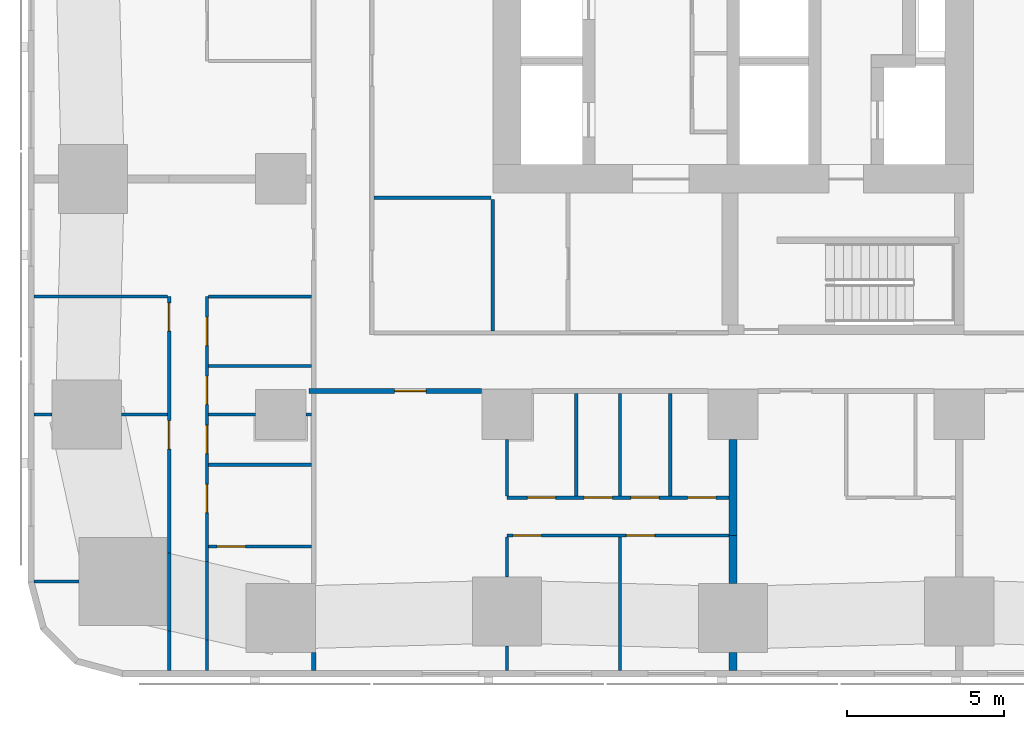
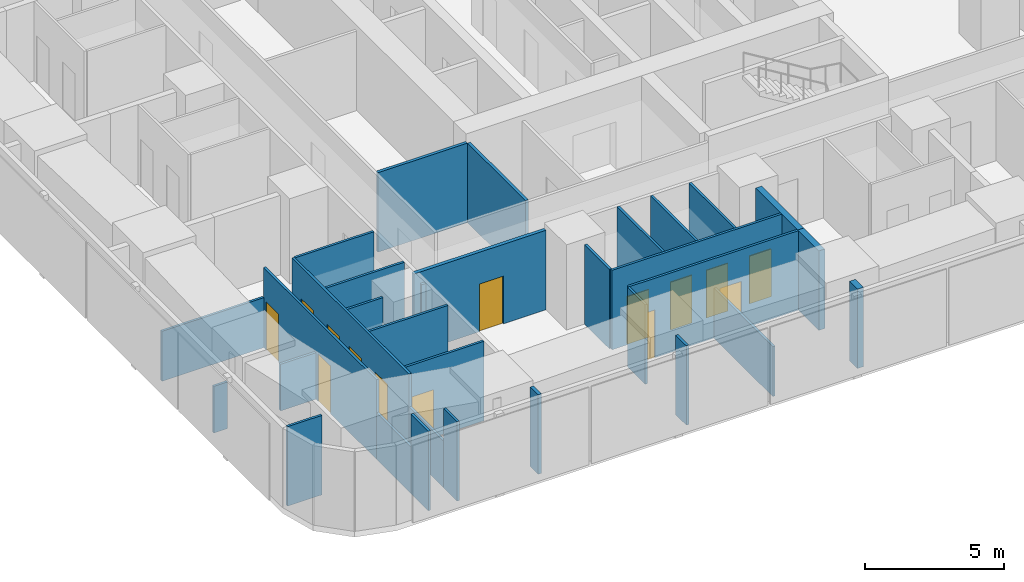
# One storey, part 2 of 14: 32 walls, 14 doors, 14 openings.
"""IFC4 building model written with IfcOpenShell, lengths in metres."""

from ifc_helpers import new_model, si_unit, direction, frame, frame_2d, origin, place, context, subcontext, project, spatial, rectangle, extrude, material, layer, layer_set, type_object, element, fill, save


model = new_model("IFC4")

# Units and contexts
model_context = context("Model", 3, precision=1e-05, world=origin(), true_north=direction((0.0, 1.0)))
body_context = subcontext(model_context, "Body", "Model", "MODEL_VIEW")
ifc_project = project(units=[si_unit("LENGTHUNIT", "METRE"), si_unit("AREAUNIT", "SQUARE_METRE"), si_unit("VOLUMEUNIT", "CUBIC_METRE"), si_unit("PLANEANGLEUNIT", "RADIAN"), si_unit("MASSUNIT", "GRAM", prefix="KILO")], contexts=[model_context])

# Site, building, storey
site_placement = place(None, origin())
site = spatial("IfcSite", under=ifc_project, at=site_placement, CompositionType="ELEMENT")
building_placement = place(site_placement, origin())
building = spatial("IfcBuilding", under=site, at=building_placement, Name="Sheger Commons Tower", CompositionType="ELEMENT")
storey_placement = place(building_placement, frame((0.0, 0.0, 122.89990234375)))
storey = spatial("IfcBuildingStorey", under=building, at=storey_placement, Name="L31", CompositionType="ELEMENT", Elevation=122.89990234375)

# Wall
ifc_material_1 = material(Name="Hollow concrete block masonry, skimmed both sides", Category="masonry")
ifc_layer_1 = layer(ifc_material_1, 0.14990234375)
ifc_layer_set_1 = layer_set([ifc_layer_1], Name="CORRIDOR WALL 150")
wall_type_1 = type_object("IfcWallType", Name="CORRIDOR WALL 150", PredefinedType="SOLIDWALL", material=ifc_layer_set_1)
wall_1_placement = place(storey_placement, frame((8.25, -0.64990234375, 0.0), z_axis=(0.0, 0.0, 1.0), x_axis=(0.0, 1.0, 0.0)))
element("IfcWall", 1, at=wall_1_placement, inside=storey, type_object=wall_type_1, Name="Corridor wall L31", PredefinedType="SOLIDWALL", context=body_context, shape_type="SweptSolid", body=[
    extrude(rectangle(XDim=0.573974609375, YDim=0.14990234375, at=frame_2d((0.287109375, 0.0))), origin(), (0.0, 0.0, 1.0), 3.5),
])

# Wall, opening, door
wall_2_placement = place(storey_placement, frame((13.59912109375, 8.25, 0.0), z_axis=(0.0, 0.0, 1.0), x_axis=(-1.0, 0.0, 0.0)))
wall_2 = element("IfcWall", 2, at=wall_2_placement, inside=storey, type_object=wall_type_1, Name="Corridor wall L31", PredefinedType="SOLIDWALL", context=body_context, shape_type="SweptSolid", body=[
    extrude(rectangle(XDim=5.4990234375, YDim=0.14990234375, at=frame_2d((2.74951171875, 0.0))), origin(), (0.0, 0.0, 1.0), 3.5),
])
opening_1_placement = place(wall_2_placement, frame((1.77392578125, 0.0, 0.0)))
opening_1 = element("IfcOpeningElement", 3, at=opening_1_placement, cuts=wall_2, Name="Opening D1", PredefinedType="OPENING", context=body_context, shape_type="SweptSolid", body=[
    extrude(rectangle(XDim=1.0, YDim=2.10009765625, at=frame_2d((0.5, 1.050048828125))), frame((0.0, 0.0849609375, 0.0), z_axis=(0.0, -1.0, 0.0), x_axis=(1.0, 0.0, 0.0)), (0.0, 0.0, 1.0), 0.169921875),
])
ifc_material_2 = material(Name="Steel door set, fire rated", Category="steel")
door_type_1 = type_object("IfcDoorType", Name="FLAT ENTRANCE DOOR 1000x2100", OperationType="NOTDEFINED", PredefinedType="DOOR", material=ifc_material_2)
door_1_placement = place(opening_1_placement, origin())
door_1 = element("IfcDoor", 4, at=door_1_placement, inside=storey, type_object=door_type_1, Name="Flat entrance door", OperationType="SINGLE_SWING_RIGHT", OverallHeight=2.10009765625, OverallWidth=1.0, PredefinedType="DOOR", context=body_context, shape_type="SweptSolid", body=[
    extrude(rectangle(XDim=1.0, YDim=2.10009765625, at=frame_2d((0.5, 1.050048828125))), frame((0.0, 0.02490234375, 0.0), z_axis=(0.0, -1.0, 0.0), x_axis=(1.0, 0.0, 0.0)), (0.0, 0.0, 1.0), 0.050048828125),
])
fill(opening_1, door_1)

# Walls
ifc_material_3 = material(Name="Dense concrete block masonry, plastered both sides (separating wall between flats)", Category="masonry")
ifc_layer_2 = layer(ifc_material_3, 0.25)
ifc_layer_set_2 = layer_set([ifc_layer_2], Name="DEMISING WALL 250")
wall_type_2 = type_object("IfcWallType", Name="DEMISING WALL 250", PredefinedType="SOLIDWALL", material=ifc_layer_set_2)
wall_3_placement = place(storey_placement, frame((21.60009765625, -0.64990234375, 0.0), z_axis=(0.0, 0.0, 1.0), x_axis=(0.0, 1.0, 0.0)))
element("IfcWall", 5, at=wall_3_placement, inside=storey, type_object=wall_type_2, Name="Demising wall L31", PredefinedType="SOLIDWALL", context=body_context, shape_type="SweptSolid", body=[
    extrude(rectangle(XDim=0.573974609375, YDim=0.25, at=frame_2d((0.287109375, 0.0))), origin(), (0.0, 0.0, 1.0), 3.5),
])
wall_4_placement = place(storey_placement, frame((21.60009765625, 2.1259765625, 0.0), z_axis=(0.0, 0.0, 1.0), x_axis=(0.0, 1.0, 0.0)))
element("IfcWall", 6, at=wall_4_placement, inside=storey, type_object=wall_type_2, Name="Demising wall L31", PredefinedType="SOLIDWALL", context=body_context, shape_type="SweptSolid", body=[
    extrude(rectangle(XDim=1.52392578125, YDim=0.25, at=frame_2d((0.761962890625, 0.0))), origin(), (0.0, 0.0, 1.0), 3.5),
])
wall_5_placement = place(storey_placement, frame((21.60009765625, 3.64990234375, 0.0), z_axis=(0.0, 0.0, 1.0), x_axis=(0.0, 1.0, 0.0)))
element("IfcWall", 7, at=wall_5_placement, inside=storey, type_object=wall_type_2, Name="Demising wall L31", PredefinedType="SOLIDWALL", context=body_context, shape_type="SweptSolid", body=[
    extrude(rectangle(XDim=3.049072265625, YDim=0.25, at=frame_2d((1.5244140625, 0.0))), origin(), (0.0, 0.0, 1.0), 3.5),
])
ifc_material_4 = material(Name="Gypsum board on steel studs", Category="steel")
ifc_layer_3 = layer(ifc_material_4, 0.10009765625)
ifc_layer_set_3 = layer_set([ifc_layer_3], Name="PARTITION 100")
wall_type_3 = type_object("IfcWallType", Name="PARTITION 100", PredefinedType="PARTITIONING", material=ifc_layer_set_3)
wall_6_placement = place(storey_placement, frame((3.64990234375, -0.64990234375, 0.0), z_axis=(0.0, 0.0, 1.0), x_axis=(0.0, 1.0, 0.0)))
element("IfcWall", 8, at=wall_6_placement, inside=storey, type_object=wall_type_3, Name="Partition L31", PredefinedType="PARTITIONING", context=body_context, shape_type="SweptSolid", body=[
    extrude(rectangle(XDim=1.25390625, YDim=0.10009765625, at=frame_2d((0.626953125, 0.0))), origin(), (0.0, 0.0, 1.0), 3.5),
])
wall_7_placement = place(storey_placement, frame((3.64990234375, 0.60400390625, 0.0), z_axis=(0.0, 0.0, 1.0), x_axis=(0.0, 1.0, 0.0)))
element("IfcWall", 9, at=wall_7_placement, inside=storey, type_object=wall_type_3, Name="Partition L31", PredefinedType="PARTITIONING", context=body_context, shape_type="SweptSolid", body=[
    extrude(rectangle(XDim=2.486083984375, YDim=0.10009765625, at=frame_2d((1.2431640625, 0.0))), origin(), (0.0, 0.0, 1.0), 2.050048828125),
])

# Wall, openings, doors
wall_8_placement = place(storey_placement, frame((3.64990234375, 3.090087890625, 0.0), z_axis=(0.0, 0.0, 1.0), x_axis=(0.0, 1.0, 0.0)))
wall_8 = element("IfcWall", 10, at=wall_8_placement, inside=storey, type_object=wall_type_3, Name="Partition L31", PredefinedType="PARTITIONING", context=body_context, shape_type="SweptSolid", body=[
    extrude(rectangle(XDim=8.159912109375, YDim=0.10009765625, at=frame_2d((4.080078125, 0.0))), origin(), (0.0, 0.0, 1.0), 3.5),
])
opening_2_placement = place(wall_8_placement, frame((7.06005859375, 0.0, 0.0)))
opening_2 = element("IfcOpeningElement", 11, at=opening_2_placement, cuts=wall_8, Name="Opening D2", PredefinedType="OPENING", context=body_context, shape_type="SweptSolid", body=[
    extrude(rectangle(XDim=0.89990234375, YDim=2.10009765625, at=frame_2d((0.449951171875, 1.050048828125))), frame((0.0, 0.06005859375, 0.0), z_axis=(0.0, -1.0, 0.0), x_axis=(1.0, 0.0, 0.0)), (0.0, 0.0, 1.0), 0.1201171875),
])
opening_3_placement = place(wall_8_placement, frame((3.31005859375, 0.0, 0.0)))
opening_3 = element("IfcOpeningElement", 12, at=opening_3_placement, cuts=wall_8, Name="Opening D2", PredefinedType="OPENING", context=body_context, shape_type="SweptSolid", body=[
    extrude(rectangle(XDim=0.89990234375, YDim=2.10009765625, at=frame_2d((0.449951171875, 1.050048828125))), frame((0.0, 0.06005859375, 0.0), z_axis=(0.0, -1.0, 0.0), x_axis=(1.0, 0.0, 0.0)), (0.0, 0.0, 1.0), 0.1201171875),
])
ifc_material_5 = material(Name="Timber door set", Category="wood")
door_type_2 = type_object("IfcDoorType", Name="INTERNAL DOOR 900x2100", OperationType="NOTDEFINED", PredefinedType="DOOR", material=ifc_material_5)
door_2_placement = place(opening_2_placement, origin())
door_2 = element("IfcDoor", 13, at=door_2_placement, inside=storey, type_object=door_type_2, Name="Main bedroom door", OperationType="SINGLE_SWING_RIGHT", OverallHeight=2.10009765625, OverallWidth=0.89990234375, PredefinedType="DOOR", context=body_context, shape_type="SweptSolid", body=[
    extrude(rectangle(XDim=0.89990234375, YDim=2.10009765625, at=frame_2d((0.449951171875, 1.050048828125))), frame((0.0, 0.02490234375, 0.0), z_axis=(0.0, -1.0, 0.0), x_axis=(1.0, 0.0, 0.0)), (0.0, 0.0, 1.0), 0.050048828125),
])
fill(opening_2, door_2)
door_3_placement = place(opening_3_placement, origin())
door_3 = element("IfcDoor", 14, at=door_3_placement, inside=storey, type_object=door_type_2, Name="Bedroom 2 door", OperationType="SINGLE_SWING_RIGHT", OverallHeight=2.10009765625, OverallWidth=0.89990234375, PredefinedType="DOOR", context=body_context, shape_type="SweptSolid", body=[
    extrude(rectangle(XDim=0.89990234375, YDim=2.10009765625, at=frame_2d((0.449951171875, 1.050048828125))), frame((0.0, 0.02490234375, 0.0), z_axis=(0.0, -1.0, 0.0), x_axis=(1.0, 0.0, 0.0)), (0.0, 0.0, 1.0), 0.050048828125),
])
fill(opening_3, door_3)

# Walls
wall_9_placement = place(storey_placement, frame((4.85009765625, -0.64990234375, 0.0), z_axis=(0.0, 0.0, 1.0), x_axis=(0.0, 1.0, 0.0)))
element("IfcWall", 15, at=wall_9_placement, inside=storey, type_object=wall_type_3, Name="Partition L31", PredefinedType="PARTITIONING", context=body_context, shape_type="SweptSolid", body=[
    extrude(rectangle(XDim=0.975830078125, YDim=0.10009765625, at=frame_2d((0.48779296875, 0.0))), origin(), (0.0, 0.0, 1.0), 3.5),
])
wall_10_placement = place(storey_placement, frame((4.85009765625, 0.325927734375, 0.0), z_axis=(0.0, 0.0, 1.0), x_axis=(0.0, 1.0, 0.0)))
element("IfcWall", 16, at=wall_10_placement, inside=storey, type_object=wall_type_3, Name="Partition L31", PredefinedType="PARTITIONING", context=body_context, shape_type="SweptSolid", body=[
    extrude(rectangle(XDim=2.486083984375, YDim=0.10009765625, at=frame_2d((1.2431640625, 0.0))), origin(), (0.0, 0.0, 1.0), 2.050048828125),
])

# Wall, openings, doors
wall_11_placement = place(storey_placement, frame((4.85009765625, 2.81201171875, 0.0), z_axis=(0.0, 0.0, 1.0), x_axis=(0.0, 1.0, 0.0)))
wall_11 = element("IfcWall", 17, at=wall_11_placement, inside=storey, type_object=wall_type_3, Name="Partition L31", PredefinedType="PARTITIONING", context=body_context, shape_type="SweptSolid", body=[
    extrude(rectangle(XDim=8.43798828125, YDim=0.10009765625, at=frame_2d((4.218994140625, 0.0))), origin(), (0.0, 0.0, 1.0), 3.5),
])
opening_4_placement = place(wall_11_placement, frame((6.883056640625, 0.0, 0.0)))
opening_4 = element("IfcOpeningElement", 18, at=opening_4_placement, cuts=wall_11, Name="Opening D2", PredefinedType="OPENING", context=body_context, shape_type="SweptSolid", body=[
    extrude(rectangle(XDim=0.89990234375, YDim=2.10009765625, at=frame_2d((0.449951171875, 1.050048828125))), frame((0.0, 0.06005859375, 0.0), z_axis=(0.0, -1.0, 0.0), x_axis=(1.0, 0.0, 0.0)), (0.0, 0.0, 1.0), 0.1201171875),
])
opening_5_placement = place(wall_11_placement, frame((3.43798828125, 0.0, 0.0)))
opening_5 = element("IfcOpeningElement", 19, at=opening_5_placement, cuts=wall_11, Name="Opening D2", PredefinedType="OPENING", context=body_context, shape_type="SweptSolid", body=[
    extrude(rectangle(XDim=0.89990234375, YDim=2.10009765625, at=frame_2d((0.449951171875, 1.050048828125))), frame((0.0, 0.06005859375, 0.0), z_axis=(0.0, -1.0, 0.0), x_axis=(1.0, 0.0, 0.0)), (0.0, 0.0, 1.0), 0.1201171875),
])
opening_6_placement = place(wall_11_placement, frame((5.008056640625, 0.0, 0.0)))
opening_6 = element("IfcOpeningElement", 20, at=opening_6_placement, cuts=wall_11, Name="Opening D2", PredefinedType="OPENING", context=body_context, shape_type="SweptSolid", body=[
    extrude(rectangle(XDim=0.89990234375, YDim=2.10009765625, at=frame_2d((0.449951171875, 1.050048828125))), frame((0.0, 0.06005859375, 0.0), z_axis=(0.0, -1.0, 0.0), x_axis=(1.0, 0.0, 0.0)), (0.0, 0.0, 1.0), 0.1201171875),
])
opening_7_placement = place(wall_11_placement, frame((1.56298828125, 0.0, 0.0)))
opening_7 = element("IfcOpeningElement", 21, at=opening_7_placement, cuts=wall_11, Name="Opening D2", PredefinedType="OPENING", context=body_context, shape_type="SweptSolid", body=[
    extrude(rectangle(XDim=0.89990234375, YDim=2.10009765625, at=frame_2d((0.449951171875, 1.050048828125))), frame((0.0, 0.06005859375, 0.0), z_axis=(0.0, -1.0, 0.0), x_axis=(1.0, 0.0, 0.0)), (0.0, 0.0, 1.0), 0.1201171875),
])
door_4_placement = place(opening_4_placement, origin())
door_4 = element("IfcDoor", 22, at=door_4_placement, inside=storey, type_object=door_type_2, Name="Bathroom door", OperationType="SINGLE_SWING_LEFT", OverallHeight=2.10009765625, OverallWidth=0.89990234375, PredefinedType="DOOR", context=body_context, shape_type="SweptSolid", body=[
    extrude(rectangle(XDim=0.89990234375, YDim=2.10009765625, at=frame_2d((0.449951171875, 1.050048828125))), frame((0.0, 0.02490234375, 0.0), z_axis=(0.0, -1.0, 0.0), x_axis=(1.0, 0.0, 0.0)), (0.0, 0.0, 1.0), 0.050048828125),
])
fill(opening_4, door_4)
door_5_placement = place(opening_5_placement, origin())
door_5 = element("IfcDoor", 23, at=door_5_placement, inside=storey, type_object=door_type_2, Name="Shower room door", OperationType="SINGLE_SWING_RIGHT", OverallHeight=2.10009765625, OverallWidth=0.89990234375, PredefinedType="DOOR", context=body_context, shape_type="SweptSolid", body=[
    extrude(rectangle(XDim=0.89990234375, YDim=2.10009765625, at=frame_2d((0.449951171875, 1.050048828125))), frame((0.0, 0.02490234375, 0.0), z_axis=(0.0, -1.0, 0.0), x_axis=(1.0, 0.0, 0.0)), (0.0, 0.0, 1.0), 0.050048828125),
])
fill(opening_5, door_5)
door_6_placement = place(opening_6_placement, origin())
door_6 = element("IfcDoor", 24, at=door_6_placement, inside=storey, type_object=door_type_2, Name="Store door", OperationType="SINGLE_SWING_LEFT", OverallHeight=2.10009765625, OverallWidth=0.89990234375, PredefinedType="DOOR", context=body_context, shape_type="SweptSolid", body=[
    extrude(rectangle(XDim=0.89990234375, YDim=2.10009765625, at=frame_2d((0.449951171875, 1.050048828125))), frame((0.0, 0.02490234375, 0.0), z_axis=(0.0, -1.0, 0.0), x_axis=(1.0, 0.0, 0.0)), (0.0, 0.0, 1.0), 0.050048828125),
])
fill(opening_6, door_6)
door_7_placement = place(opening_7_placement, origin())
door_7 = element("IfcDoor", 25, at=door_7_placement, inside=storey, type_object=door_type_2, Name="Store door", OperationType="SINGLE_SWING_LEFT", OverallHeight=2.10009765625, OverallWidth=0.89990234375, PredefinedType="DOOR", context=body_context, shape_type="SweptSolid", body=[
    extrude(rectangle(XDim=0.89990234375, YDim=2.10009765625, at=frame_2d((0.449951171875, 1.050048828125))), frame((0.0, 0.02490234375, 0.0), z_axis=(0.0, -1.0, 0.0), x_axis=(1.0, 0.0, 0.0)), (0.0, 0.0, 1.0), 0.050048828125),
])
fill(opening_7, door_7)

# Walls
wall_12_placement = place(storey_placement, frame((-0.64990234375, 2.18603515625, 0.0), z_axis=(0.0, 0.0, 1.0), x_axis=(1.0, 0.0, 0.0)))
element("IfcWall", 26, at=wall_12_placement, inside=storey, type_object=wall_type_3, Name="Partition L31", PredefinedType="PARTITIONING", context=body_context, shape_type="SweptSolid", body=[
    extrude(rectangle(XDim=1.434814453125, YDim=0.10009765625, at=frame_2d((0.71728515625, 0.0))), origin(), (0.0, 0.0, 1.0), 3.5),
])
wall_13_placement = place(storey_placement, frame((-0.64990234375, 7.5, 0.0), z_axis=(0.0, 0.0, 1.0), x_axis=(1.0, 0.0, 0.0)))
element("IfcWall", 27, at=wall_13_placement, inside=storey, type_object=wall_type_3, Name="Partition L31", PredefinedType="PARTITIONING", context=body_context, shape_type="SweptSolid", body=[
    extrude(rectangle(XDim=0.573974609375, YDim=0.10009765625, at=frame_2d((0.287109375, 0.0))), origin(), (0.0, 0.0, 1.0), 2.050048828125),
])
wall_14_placement = place(storey_placement, frame((2.1259765625, 7.5, 0.0), z_axis=(0.0, 0.0, 1.0), x_axis=(1.0, 0.0, 0.0)))
element("IfcWall", 28, at=wall_14_placement, inside=storey, type_object=wall_type_3, Name="Partition L31", PredefinedType="PARTITIONING", context=body_context, shape_type="SweptSolid", body=[
    extrude(rectangle(XDim=1.47412109375, YDim=0.10009765625, at=frame_2d((0.737060546875, 0.0))), origin(), (0.0, 0.0, 1.0), 2.050048828125),
])
wall_15_placement = place(storey_placement, frame((-0.64990234375, 11.25, 0.0), z_axis=(0.0, 0.0, 1.0), x_axis=(1.0, 0.0, 0.0)))
element("IfcWall", 29, at=wall_15_placement, inside=storey, type_object=wall_type_3, Name="Partition L31", PredefinedType="PARTITIONING", context=body_context, shape_type="SweptSolid", body=[
    extrude(rectangle(XDim=4.25, YDim=0.10009765625, at=frame_2d((2.125, 0.0))), origin(), (0.0, 0.0, 1.0), 2.2001953125),
])
wall_16_placement = place(storey_placement, frame((4.89990234375, 7.5, 0.0), z_axis=(0.0, 0.0, 1.0), x_axis=(1.0, 0.0, 0.0)))
element("IfcWall", 30, at=wall_16_placement, inside=storey, type_object=wall_type_3, Name="Partition L31", PredefinedType="PARTITIONING", context=body_context, shape_type="SweptSolid", body=[
    extrude(rectangle(XDim=1.4990234375, YDim=0.10009765625, at=frame_2d((0.74951171875, 0.0))), origin(), (0.0, 0.0, 1.0), 3.5),
])
wall_17_placement = place(storey_placement, frame((8.0009765625, 7.5, 0.0), z_axis=(0.0, 0.0, 1.0), x_axis=(1.0, 0.0, 0.0)))
element("IfcWall", 31, at=wall_17_placement, inside=storey, type_object=wall_type_3, Name="Partition L31", PredefinedType="PARTITIONING", context=body_context, shape_type="SweptSolid", body=[
    extrude(rectangle(XDim=0.174072265625, YDim=0.10009765625, at=frame_2d((0.0869140625, 0.0))), origin(), (0.0, 0.0, 1.0), 3.5),
])
for number, where, z_axis, x_axis, name in (
    (32, (4.89990234375, 11.25, 0.0), (0.0, 0.0, 1.0), (1.0, 0.0, 0.0), "Partition L31"),
    (33, (4.89990234375, 9.0400390625, 0.0), (0.0, 0.0, 1.0), (1.0, 0.0, 0.0), "Partition L31"),
    (34, (4.89990234375, 5.89990234375, 0.0), (0.0, 0.0, 1.0), (1.0, 0.0, 0.0), "Partition L31"),
):
    element("IfcWall", number, at=place(storey_placement, frame(where, z_axis=z_axis, x_axis=x_axis)), inside=storey, type_object=wall_type_3, Name=name, PredefinedType="PARTITIONING", context=body_context, shape_type="SweptSolid", body=[
        extrude(rectangle(XDim=3.275146484375, YDim=0.10009765625, at=frame_2d((1.6376953125, 0.0))), origin(), (0.0, 0.0, 1.0), 3.5),
    ])

# Wall, openings, doors
wall_18_placement = place(storey_placement, frame((21.47509765625, 3.64990234375, 0.0), z_axis=(0.0, 0.0, 1.0), x_axis=(-1.0, 0.0, 0.0)))
wall_18 = element("IfcWall", 35, at=wall_18_placement, inside=storey, type_object=wall_type_3, Name="Partition L31", PredefinedType="PARTITIONING", context=body_context, shape_type="SweptSolid", body=[
    extrude(rectangle(XDim=7.0751953125, YDim=0.10009765625, at=frame_2d((3.53759765625, 0.0))), origin(), (0.0, 0.0, 1.0), 3.5),
])
opening_8_placement = place(wall_18_placement, frame((5.97509765625, 0.0, 0.0)))
opening_8 = element("IfcOpeningElement", 36, at=opening_8_placement, cuts=wall_18, Name="Opening D2", PredefinedType="OPENING", context=body_context, shape_type="SweptSolid", body=[
    extrude(rectangle(XDim=0.89990234375, YDim=2.10009765625, at=frame_2d((0.449951171875, 1.050048828125))), frame((0.0, 0.06005859375, 0.0), z_axis=(0.0, -1.0, 0.0), x_axis=(1.0, 0.0, 0.0)), (0.0, 0.0, 1.0), 0.1201171875),
])
opening_9_placement = place(wall_18_placement, frame((2.375, 0.0, 0.0)))
opening_9 = element("IfcOpeningElement", 37, at=opening_9_placement, cuts=wall_18, Name="Opening D2", PredefinedType="OPENING", context=body_context, shape_type="SweptSolid", body=[
    extrude(rectangle(XDim=0.89990234375, YDim=2.10009765625, at=frame_2d((0.449951171875, 1.050048828125))), frame((0.0, 0.06005859375, 0.0), z_axis=(0.0, -1.0, 0.0), x_axis=(1.0, 0.0, 0.0)), (0.0, 0.0, 1.0), 0.1201171875),
])
door_8_placement = place(opening_8_placement, origin())
door_8 = element("IfcDoor", 38, at=door_8_placement, inside=storey, type_object=door_type_2, Name="Main bedroom door", OperationType="SINGLE_SWING_RIGHT", OverallHeight=2.10009765625, OverallWidth=0.89990234375, PredefinedType="DOOR", context=body_context, shape_type="SweptSolid", body=[
    extrude(rectangle(XDim=0.89990234375, YDim=2.10009765625, at=frame_2d((0.449951171875, 1.050048828125))), frame((0.0, 0.02490234375, 0.0), z_axis=(0.0, -1.0, 0.0), x_axis=(1.0, 0.0, 0.0)), (0.0, 0.0, 1.0), 0.050048828125),
])
fill(opening_8, door_8)
door_9_placement = place(opening_9_placement, origin())
door_9 = element("IfcDoor", 39, at=door_9_placement, inside=storey, type_object=door_type_2, Name="Bedroom 2 door", OperationType="SINGLE_SWING_RIGHT", OverallHeight=2.10009765625, OverallWidth=0.89990234375, PredefinedType="DOOR", context=body_context, shape_type="SweptSolid", body=[
    extrude(rectangle(XDim=0.89990234375, YDim=2.10009765625, at=frame_2d((0.449951171875, 1.050048828125))), frame((0.0, 0.02490234375, 0.0), z_axis=(0.0, -1.0, 0.0), x_axis=(1.0, 0.0, 0.0)), (0.0, 0.0, 1.0), 0.050048828125),
])
fill(opening_9, door_9)

wall_19_placement = place(storey_placement, frame((21.47509765625, 4.85009765625, 0.0), z_axis=(0.0, 0.0, 1.0), x_axis=(-1.0, 0.0, 0.0)))
wall_19 = element("IfcWall", 40, at=wall_19_placement, inside=storey, type_object=wall_type_3, Name="Partition L31", PredefinedType="PARTITIONING", context=body_context, shape_type="SweptSolid", body=[
    extrude(rectangle(XDim=7.0751953125, YDim=0.10009765625, at=frame_2d((3.53759765625, 0.0))), origin(), (0.0, 0.0, 1.0), 3.5),
])
opening_10_placement = place(wall_19_placement, frame((5.52001953125, 0.0, 0.0)))
opening_10 = element("IfcOpeningElement", 41, at=opening_10_placement, cuts=wall_19, Name="Opening D2", PredefinedType="OPENING", context=body_context, shape_type="SweptSolid", body=[
    extrude(rectangle(XDim=0.89990234375, YDim=2.10009765625, at=frame_2d((0.449951171875, 1.050048828125))), frame((0.0, 0.06005859375, 0.0), z_axis=(0.0, -1.0, 0.0), x_axis=(1.0, 0.0, 0.0)), (0.0, 0.0, 1.0), 0.1201171875),
])
opening_11_placement = place(wall_19_placement, frame((2.22509765625, 0.0, 0.0)))
opening_11 = element("IfcOpeningElement", 42, at=opening_11_placement, cuts=wall_19, Name="Opening D2", PredefinedType="OPENING", context=body_context, shape_type="SweptSolid", body=[
    extrude(rectangle(XDim=0.89990234375, YDim=2.10009765625, at=frame_2d((0.449951171875, 1.050048828125))), frame((0.0, 0.06005859375, 0.0), z_axis=(0.0, -1.0, 0.0), x_axis=(1.0, 0.0, 0.0)), (0.0, 0.0, 1.0), 0.1201171875),
])
opening_12_placement = place(wall_19_placement, frame((3.719970703125, 0.0, 0.0)))
opening_12 = element("IfcOpeningElement", 43, at=opening_12_placement, cuts=wall_19, Name="Opening D2", PredefinedType="OPENING", context=body_context, shape_type="SweptSolid", body=[
    extrude(rectangle(XDim=0.89990234375, YDim=2.10009765625, at=frame_2d((0.449951171875, 1.050048828125))), frame((0.0, 0.06005859375, 0.0), z_axis=(0.0, -1.0, 0.0), x_axis=(1.0, 0.0, 0.0)), (0.0, 0.0, 1.0), 0.1201171875),
])
opening_13_placement = place(wall_19_placement, frame((0.425048828125, 0.0, 0.0)))
opening_13 = element("IfcOpeningElement", 44, at=opening_13_placement, cuts=wall_19, Name="Opening D2", PredefinedType="OPENING", context=body_context, shape_type="SweptSolid", body=[
    extrude(rectangle(XDim=0.89990234375, YDim=2.10009765625, at=frame_2d((0.449951171875, 1.050048828125))), frame((0.0, 0.06005859375, 0.0), z_axis=(0.0, -1.0, 0.0), x_axis=(1.0, 0.0, 0.0)), (0.0, 0.0, 1.0), 0.1201171875),
])
door_10_placement = place(opening_10_placement, origin())
door_10 = element("IfcDoor", 45, at=door_10_placement, inside=storey, type_object=door_type_2, Name="Bathroom door", OperationType="SINGLE_SWING_LEFT", OverallHeight=2.10009765625, OverallWidth=0.89990234375, PredefinedType="DOOR", context=body_context, shape_type="SweptSolid", body=[
    extrude(rectangle(XDim=0.89990234375, YDim=2.10009765625, at=frame_2d((0.449951171875, 1.050048828125))), frame((0.0, 0.02490234375, 0.0), z_axis=(0.0, -1.0, 0.0), x_axis=(1.0, 0.0, 0.0)), (0.0, 0.0, 1.0), 0.050048828125),
])
fill(opening_10, door_10)
door_11_placement = place(opening_11_placement, origin())
door_11 = element("IfcDoor", 46, at=door_11_placement, inside=storey, type_object=door_type_2, Name="Shower room door", OperationType="SINGLE_SWING_LEFT", OverallHeight=2.10009765625, OverallWidth=0.89990234375, PredefinedType="DOOR", context=body_context, shape_type="SweptSolid", body=[
    extrude(rectangle(XDim=0.89990234375, YDim=2.10009765625, at=frame_2d((0.449951171875, 1.050048828125))), frame((0.0, 0.02490234375, 0.0), z_axis=(0.0, -1.0, 0.0), x_axis=(1.0, 0.0, 0.0)), (0.0, 0.0, 1.0), 0.050048828125),
])
fill(opening_11, door_11)
door_12_placement = place(opening_12_placement, origin())
door_12 = element("IfcDoor", 47, at=door_12_placement, inside=storey, type_object=door_type_2, Name="Store door", OperationType="SINGLE_SWING_LEFT", OverallHeight=2.10009765625, OverallWidth=0.89990234375, PredefinedType="DOOR", context=body_context, shape_type="SweptSolid", body=[
    extrude(rectangle(XDim=0.89990234375, YDim=2.10009765625, at=frame_2d((0.449951171875, 1.050048828125))), frame((0.0, 0.02490234375, 0.0), z_axis=(0.0, -1.0, 0.0), x_axis=(1.0, 0.0, 0.0)), (0.0, 0.0, 1.0), 0.050048828125),
])
fill(opening_12, door_12)
door_13_placement = place(opening_13_placement, origin())
door_13 = element("IfcDoor", 48, at=door_13_placement, inside=storey, type_object=door_type_2, Name="Store door", OperationType="SINGLE_SWING_RIGHT", OverallHeight=2.10009765625, OverallWidth=0.89990234375, PredefinedType="DOOR", context=body_context, shape_type="SweptSolid", body=[
    extrude(rectangle(XDim=0.89990234375, YDim=2.10009765625, at=frame_2d((0.449951171875, 1.050048828125))), frame((0.0, 0.02490234375, 0.0), z_axis=(0.0, -1.0, 0.0), x_axis=(1.0, 0.0, 0.0)), (0.0, 0.0, 1.0), 0.050048828125),
])
fill(opening_13, door_13)

# Walls
wall_20_placement = place(storey_placement, frame((14.39990234375, -0.64990234375, 0.0), z_axis=(0.0, 0.0, 1.0), x_axis=(0.0, 1.0, 0.0)))
element("IfcWall", 49, at=wall_20_placement, inside=storey, type_object=wall_type_3, Name="Partition L31", PredefinedType="PARTITIONING", context=body_context, shape_type="SweptSolid", body=[
    extrude(rectangle(XDim=0.77392578125, YDim=0.10009765625, at=frame_2d((0.386962890625, 0.0))), origin(), (0.0, 0.0, 1.0), 3.5),
])
wall_21_placement = place(storey_placement, frame((14.39990234375, 2.325927734375, 0.0), z_axis=(0.0, 0.0, 1.0), x_axis=(0.0, 1.0, 0.0)))
element("IfcWall", 50, at=wall_21_placement, inside=storey, type_object=wall_type_3, Name="Partition L31", PredefinedType="PARTITIONING", context=body_context, shape_type="SweptSolid", body=[
    extrude(rectangle(XDim=1.274169921875, YDim=0.10009765625, at=frame_2d((0.63720703125, 0.0))), origin(), (0.0, 0.0, 1.0), 3.5),
])
wall_22_placement = place(storey_placement, frame((18.0, -0.64990234375, 0.0), z_axis=(0.0, 0.0, 1.0), x_axis=(0.0, 1.0, 0.0)))
element("IfcWall", 51, at=wall_22_placement, inside=storey, type_object=wall_type_3, Name="Partition L31", PredefinedType="PARTITIONING", context=body_context, shape_type="SweptSolid", body=[
    extrude(rectangle(XDim=4.25, YDim=0.10009765625, at=frame_2d((2.125, 0.0))), origin(), (0.0, 0.0, 1.0), 2.2001953125),
])
wall_23_placement = place(storey_placement, frame((14.39990234375, 4.89990234375, 0.0), z_axis=(0.0, 0.0, 1.0), x_axis=(0.0, 1.0, 0.0)))
element("IfcWall", 52, at=wall_23_placement, inside=storey, type_object=wall_type_3, Name="Partition L31", PredefinedType="PARTITIONING", context=body_context, shape_type="SweptSolid", body=[
    extrude(rectangle(XDim=1.799072265625, YDim=0.10009765625, at=frame_2d((0.8994140625, 0.0))), origin(), (0.0, 0.0, 1.0), 3.5),
])
for number, where, z_axis, x_axis, name in (
    (53, (18.0, 4.89990234375, 0.0), (0.0, 0.0, 1.0), (0.0, 1.0, 0.0), "Partition L31"),
    (54, (16.610107421875, 4.89990234375, 0.0), (0.0, 0.0, 1.0), (0.0, 1.0, 0.0), "Partition L31"),
    (55, (19.60009765625, 4.89990234375, 0.0), (0.0, 0.0, 1.0), (0.0, 1.0, 0.0), "Partition L31"),
):
    element("IfcWall", number, at=place(storey_placement, frame(where, z_axis=z_axis, x_axis=x_axis)), inside=storey, type_object=wall_type_3, Name=name, PredefinedType="PARTITIONING", context=body_context, shape_type="SweptSolid", body=[
        extrude(rectangle(XDim=3.275146484375, YDim=0.10009765625, at=frame_2d((1.6376953125, 0.0))), origin(), (0.0, 0.0, 1.0), 3.5),
    ])

# Wall, opening, door
wall_24_placement = place(storey_placement, frame((8.175048828125, 3.300048828125, 0.0), z_axis=(0.0, 0.0, 1.0), x_axis=(-1.0, 0.0, 0.0)))
wall_24 = element("IfcWall", 56, at=wall_24_placement, inside=storey, type_object=wall_type_3, Name="Partition L31", PredefinedType="PARTITIONING", context=body_context, shape_type="SweptSolid", body=[
    extrude(rectangle(XDim=3.275146484375, YDim=0.10009765625, at=frame_2d((1.6376953125, 0.0))), origin(), (0.0, 0.0, 1.0), 3.5),
])
opening_14_placement = place(wall_24_placement, frame((2.10009765625, 0.0, 0.0)))
opening_14 = element("IfcOpeningElement", 57, at=opening_14_placement, cuts=wall_24, Name="Opening D2", PredefinedType="OPENING", context=body_context, shape_type="SweptSolid", body=[
    extrude(rectangle(XDim=0.89990234375, YDim=2.10009765625, at=frame_2d((0.449951171875, 1.050048828125))), frame((0.0, 0.06005859375, 0.0), z_axis=(0.0, -1.0, 0.0), x_axis=(1.0, 0.0, 0.0)), (0.0, 0.0, 1.0), 0.1201171875),
])
door_14_placement = place(opening_14_placement, origin())
door_14 = element("IfcDoor", 58, at=door_14_placement, inside=storey, type_object=door_type_2, Name="Store door", OperationType="SINGLE_SWING_LEFT", OverallHeight=2.10009765625, OverallWidth=0.89990234375, PredefinedType="DOOR", context=body_context, shape_type="SweptSolid", body=[
    extrude(rectangle(XDim=0.89990234375, YDim=2.10009765625, at=frame_2d((0.449951171875, 1.050048828125))), frame((0.0, 0.02490234375, 0.0), z_axis=(0.0, -1.0, 0.0), x_axis=(1.0, 0.0, 0.0)), (0.0, 0.0, 1.0), 0.050048828125),
])
fill(opening_14, door_14)

# Walls
ifc_material_6 = material(Name="Gypsum board on steel studs, two layers each side, fire rated", Category="steel")
ifc_layer_4 = layer(ifc_material_6, 0.125)
ifc_layer_set_4 = layer_set([ifc_layer_4], Name="SERVICE WALL 125")
wall_type_4 = type_object("IfcWallType", Name="SERVICE WALL 125", PredefinedType="PARTITIONING", material=ifc_layer_set_4)
wall_25_placement = place(storey_placement, frame((10.1630859375, 14.39990234375, 0.0), z_axis=(0.0, 0.0, 1.0), x_axis=(1.0, 0.0, 0.0)))
element("IfcWall", 59, at=wall_25_placement, inside=storey, type_object=wall_type_4, Name="Service room wall L31", PredefinedType="PARTITIONING", context=body_context, shape_type="SweptSolid", body=[
    extrude(rectangle(XDim=3.724853515625, YDim=0.125, at=frame_2d((1.8623046875, 0.0))), origin(), (0.0, 0.0, 1.0), 3.5),
])
wall_26_placement = place(storey_placement, frame((13.949951171875, 10.1630859375, 0.0), z_axis=(0.0, 0.0, 1.0), x_axis=(0.0, 1.0, 0.0)))
element("IfcWall", 60, at=wall_26_placement, inside=storey, type_object=wall_type_4, Name="Service room wall L31", PredefinedType="PARTITIONING", context=body_context, shape_type="SweptSolid", body=[
    extrude(rectangle(XDim=4.1748046875, YDim=0.125, at=frame_2d((2.08740234375, 0.0))), origin(), (0.0, 0.0, 1.0), 3.5),
])

save(model, "model.ifc")
